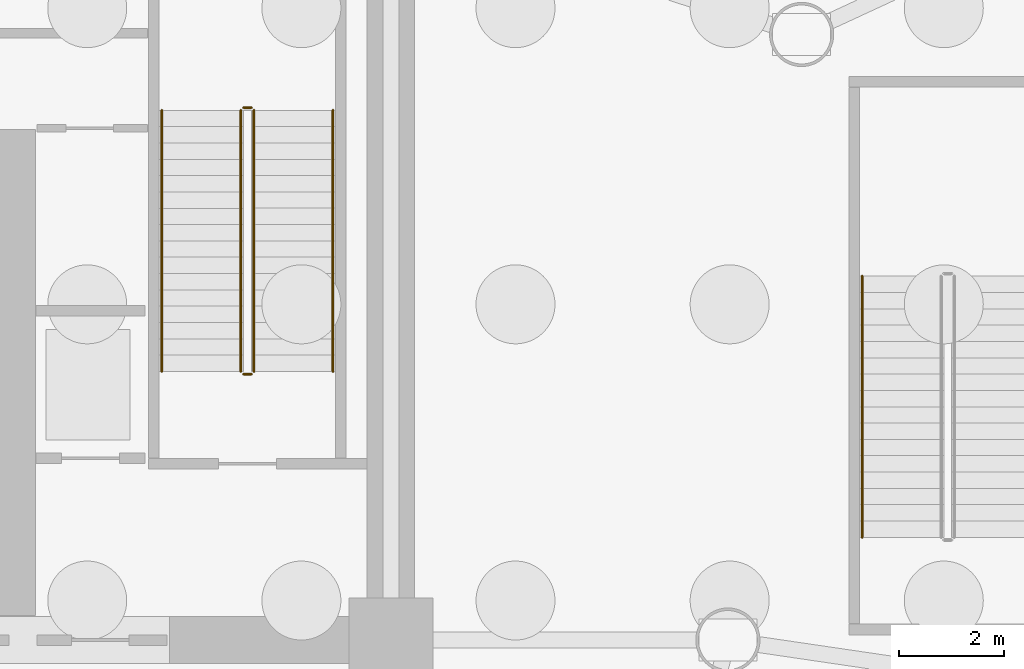
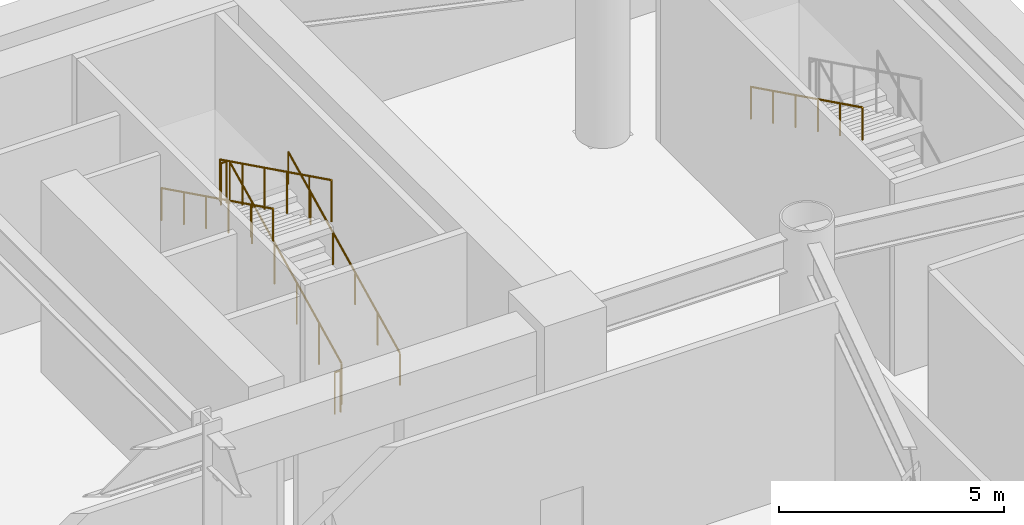
# One storey, part 8 of 11: 7 railings.
"""IFC4 building model written with IfcOpenShell, lengths in metres."""

import ifcopenshell
import ifcopenshell.guid

model = None  # the IFC model being written
_history = None  # IfcOwnerHistory: only IFC2X3 demands one
_inside = {}  # id of a spatial element -> (the spatial element, [elements in it])
_under = {}  # id of a project, library or spatial element -> (it, [spatial elements below it])
_declared = {}  # id of a project -> (the project, [libraries it declares])
_typed = {}  # id of a type object -> (the type object, [elements of that type])
_made_of = {}  # id of a material, layer set ... -> (it, [elements and type objects made of it])


def new_model(schema):
    """Start an empty IFC model of exactly this schema.

    Asked for "IFC4X3", IfcOpenShell would pick the latest addendum, in which some entities
    have other attributes; the version numbers below select the first issue.
    IFC2X3 requires an IfcOwnerHistory on every rooted entity: one is made here for all.
    """
    global model, _history
    if schema == "IFC4X3":
        model = ifcopenshell.file(schema_version=(4, 3, 0, 0))
    else:
        model = ifcopenshell.file(schema=schema)
    _inside.clear()
    _under.clear()
    _declared.clear()
    _typed.clear()
    _made_of.clear()
    _history = None
    if model.schema == "IFC2X3":
        org = make("IfcOrganization", Name="unknown")
        user = make(
            "IfcPersonAndOrganization",
            ThePerson=make("IfcPerson", FamilyName="unknown"),
            TheOrganization=org,
        )
        app = make(
            "IfcApplication",
            ApplicationDeveloper=org,
            Version="unknown",
            ApplicationFullName="unknown",
            ApplicationIdentifier="unknown",
        )
        _history = make(
            "IfcOwnerHistory",
            OwningUser=user,
            OwningApplication=app,
            ChangeAction="ADDED",
            CreationDate=0,
        )
    return model


def make(cls, **values):
    """One entity of the class cls with the attributes given. An attribute that is None is left unset."""
    return model.create_entity(
        cls, **{name: value for name, value in values.items() if value is not None}
    )


def rooted(cls, **values):
    """An entity with a GlobalId (a new one), such as an element, a storey or a relation."""
    return make(cls, GlobalId=ifcopenshell.guid.new(), OwnerHistory=_history, **values)


def si_unit(unit_type, name, prefix=None):
    """IfcSIUnit, for example si_unit("LENGTHUNIT", "METRE", prefix="MILLI")."""
    return make("IfcSIUnit", UnitType=unit_type, Prefix=prefix, Name=name)


def assignment(units):
    """IfcUnitAssignment: the units of a project."""
    return None if units is None else make("IfcUnitAssignment", Units=units)


def point(xyz):
    """IfcCartesianPoint."""
    return None if xyz is None else make("IfcCartesianPoint", Coordinates=xyz)


def direction(xyz):
    """IfcDirection."""
    return None if xyz is None else make("IfcDirection", DirectionRatios=xyz)


def frame(location, z_axis=None, x_axis=None):
    """IfcAxis2Placement3D, a coordinate frame: its origin and axes. An axis left out is left unset."""
    return make(
        "IfcAxis2Placement3D",
        Location=point(location),
        Axis=direction(z_axis),
        RefDirection=direction(x_axis),
    )


def frame_2d(location, x_axis=None):
    """IfcAxis2Placement2D, a coordinate frame in the plane: its origin and x axis."""
    return make(
        "IfcAxis2Placement2D", Location=point(location), RefDirection=direction(x_axis)
    )


def origin():
    """The frame at (0, 0, 0) with its axes left unset."""
    return frame((0.0, 0.0, 0.0))


def origin_2d():
    """The frame at (0, 0) in the plane with its x axis left unset."""
    return frame_2d((0.0, 0.0))


def place(relative_to, where):
    """IfcLocalPlacement: puts the frame where relative to a parent placement (None: the world)."""
    return make(
        "IfcLocalPlacement", PlacementRelTo=relative_to, RelativePlacement=where
    )


def context(
    kind, dimensions, precision=None, world=None, true_north=None, identifier=None
):
    """IfcGeometricRepresentationContext, for example the 3D "Model" context."""
    return make(
        "IfcGeometricRepresentationContext",
        ContextIdentifier=identifier,
        ContextType=kind,
        CoordinateSpaceDimension=dimensions,
        Precision=precision,
        WorldCoordinateSystem=world,
        TrueNorth=true_north,
    )


def subcontext(parent, identifier, kind, view, scale=None):
    """IfcGeometricRepresentationSubContext, for example "Body" below "Model"."""
    return make(
        "IfcGeometricRepresentationSubContext",
        ContextIdentifier=identifier,
        ContextType=kind,
        ParentContext=parent,
        TargetScale=scale,
        TargetView=view,
    )


def project(units=None, contexts=None):
    """IfcProject with its units and contexts."""
    return rooted(
        "IfcProject",
        Name="project",
        RepresentationContexts=contexts,
        UnitsInContext=assignment(units),
    )


def spatial(cls, under=None, at=None, **own):
    """A site, building, storey or space (cls), placed at a placement, below another one or the project."""
    s = rooted(cls, ObjectPlacement=at, **own)
    if under is not None:
        _under.setdefault(under.id(), (under, []))[1].append(s)
    return s


def profile(cls, at=None, kind="AREA", **sizes):
    """A parametric profile (cls). Its sizes go by their IFC names, for example OverallWidth=200.0."""
    return make(cls, ProfileType=kind, Position=at, **sizes)


def circle(**sizes):
    """IfcCircleProfileDef."""
    return profile("IfcCircleProfileDef", **sizes)


def extrude(swept, where, along, depth):
    """IfcExtrudedAreaSolid: the profile swept, set in the frame where, extruded along a direction by depth."""
    return make(
        "IfcExtrudedAreaSolid",
        SweptArea=swept,
        Position=where,
        ExtrudedDirection=direction(along),
        Depth=depth,
    )


def shape(context_of_items, identifier, shape_type, items):
    """IfcShapeRepresentation: the items that make up one representation, for example the "Body"."""
    return make(
        "IfcShapeRepresentation",
        ContextOfItems=context_of_items,
        RepresentationIdentifier=identifier,
        RepresentationType=shape_type,
        Items=items,
    )


def material(Name=None, Category=None):
    """IfcMaterial."""
    return make("IfcMaterial", Name=Name, Category=Category)


def made_of(thing, what):
    """Note that an element or type object is made of a material, layer set ...; save() writes the relation."""
    if what is not None:
        _made_of.setdefault(what.id(), (what, []))[1].append(thing)
    return thing


def type_object(cls, material=None, **own):
    """A type object (cls), such as IfcWallType, which elements share."""
    return made_of(rooted(cls, **own), material)


def element(
    cls,
    number,
    at=None,
    inside=None,
    cuts=None,
    type_object=None,
    material=None,
    context=None,
    identifier="Body",
    shape_type=None,
    held_by="IfcProductDefinitionShape",
    body=None,
    shapes=None,
    **own,
):
    """One element of the class cls, such as IfcWall. Its Tag is "e" and its number.

    at: its placement. inside: the storey or other place that contains it. cuts: it is an
    opening in that element (IfcRelVoidsElement). A single representation is given by context,
    identifier, shape_type and body (its items); several are given by shapes. held_by: the class
    of the entity that holds the representations. save() writes the other relations.
    """
    e = rooted(cls, Tag="e%d" % number, ObjectPlacement=at, **own)
    if body is not None:
        shapes = [shape(context, identifier, shape_type, body)]
    if shapes is not None:
        e.Representation = make(held_by, Representations=shapes)
    if inside is not None:
        _inside.setdefault(inside.id(), (inside, []))[1].append(e)
    if cuts is not None:
        rooted(
            "IfcRelVoidsElement", RelatingBuildingElement=cuts, RelatedOpeningElement=e
        )
    if type_object is not None:
        _typed.setdefault(type_object.id(), (type_object, []))[1].append(e)
    return made_of(e, material)


def aggregate(whole, parts):
    """IfcRelAggregates: a whole, such as a stair, and the parts it consists of."""
    return rooted("IfcRelAggregates", RelatingObject=whole, RelatedObjects=parts)


def save(model, path):
    """Write the relations noted so far, then the file.

    IfcRelAggregates (storeys below a building ...), IfcRelContainedInSpatialStructure (elements
    in a storey), IfcRelDefinesByType, IfcRelAssociatesMaterial and IfcRelDeclares: one each for
    every whole, place, type object, material and project.
    """
    for whole, parts in _under.values():
        aggregate(whole, parts)
    for where, things in _inside.values():
        rooted(
            "IfcRelContainedInSpatialStructure",
            RelatedElements=things,
            RelatingStructure=where,
        )
    for kind, things in _typed.values():
        rooted("IfcRelDefinesByType", RelatedObjects=things, RelatingType=kind)
    for what, things in _made_of.values():
        rooted("IfcRelAssociatesMaterial", RelatedObjects=things, RelatingMaterial=what)
    for by, libraries in _declared.values():
        rooted("IfcRelDeclares", RelatingContext=by, RelatedDefinitions=libraries)
    model.write(path)


model = new_model("IFC4")

# Units and contexts
model_context = context("Model", 3, precision=1e-05, world=origin(), true_north=direction((0.0, 1.0)))
body_context = subcontext(model_context, "Body", "Model", "MODEL_VIEW")
ifc_project = project(units=[si_unit("LENGTHUNIT", "METRE"), si_unit("AREAUNIT", "SQUARE_METRE"), si_unit("VOLUMEUNIT", "CUBIC_METRE"), si_unit("PLANEANGLEUNIT", "RADIAN"), si_unit("MASSUNIT", "GRAM", prefix="KILO")], contexts=[model_context])

# Site, building, storey
site_placement = place(None, origin())
site = spatial("IfcSite", under=ifc_project, at=site_placement, CompositionType="ELEMENT")
building_placement = place(site_placement, origin())
building = spatial("IfcBuilding", under=site, at=building_placement, Name="Vaeldorn Concourse Tower", CompositionType="ELEMENT")
storey_placement = place(building_placement, frame((0.0, 0.0, -15.60009765625)))
storey = spatial("IfcBuildingStorey", under=building, at=storey_placement, Name="B03", CompositionType="ELEMENT", Elevation=-15.60009765625)

# Railings
ifc_material = material(Name="Anodised Bronze Aluminium", Category="aluminium")
railing_type_1 = type_object("IfcRailingType", Name="RL-STAIR-GUARD", PredefinedType="GUARDRAIL", material=ifc_material)
railing_1_placement = place(storey_placement, frame((51.39990234375, 41.60009765625, 0.153076171875)))
element("IfcRailing", 1, at=railing_1_placement, inside=storey, type_object=railing_type_1, Name="B03 ST-2 stair guard 1", PredefinedType="GUARDRAIL", context=body_context, shape_type="SweptSolid", body=[
    extrude(circle(Radius=0.02392578125, at=origin_2d()), frame((0.0, 0.0, 1.1259765625), z_axis=(0.0, 0.896798178328, 0.442439857323), x_axis=(-1.0, 0.0, 0.0)), (0.0, 0.0, 1.0), 5.53076171875),
    extrude(circle(Radius=0.02099609375, at=origin_2d()), origin(), (0.0, 0.0, 1.0), 1.101806640625),
    extrude(circle(Radius=0.02099609375, at=origin_2d()), frame((0.0, 0.991943359375, 0.489501953125)), (0.0, 0.0, 1.0), 1.101806640625),
    extrude(circle(Radius=0.02099609375, at=origin_2d()), frame((0.0, 1.98388671875, 0.978759765625)), (0.0, 0.0, 1.0), 1.101806640625),
    extrude(circle(Radius=0.02099609375, at=origin_2d()), frame((0.0, 2.97607421875, 1.46826171875)), (0.0, 0.0, 1.0), 1.101806640625),
    extrude(circle(Radius=0.02099609375, at=origin_2d()), frame((0.0, 3.968017578125, 1.95751953125)), (0.0, 0.0, 1.0), 1.101806640625),
    extrude(circle(Radius=0.02099609375, at=origin_2d()), frame((0.0, 4.9599609375, 2.447021484375)), (0.0, 0.0, 1.0), 1.101806640625),
])
railing_2_placement = place(storey_placement, frame((51.35009765625, 46.610107421875, 2.60009765625)))
element("IfcRailing", 2, at=railing_2_placement, inside=storey, type_object=railing_type_1, Name="B03 ST-2 stair guard 2", PredefinedType="GUARDRAIL", context=body_context, shape_type="SweptSolid", body=[
    extrude(circle(Radius=0.02392578125, at=origin_2d()), frame((0.0, 0.0, 1.1259765625), z_axis=(-1.0, 0.0, 0.0), x_axis=(0.0, -1.0, 0.0)), (0.0, 0.0, 1.0), 0.150146484375),
    extrude(circle(Radius=0.02099609375, at=origin_2d()), origin(), (0.0, 0.0, 1.0), 1.101806640625),
    extrude(circle(Radius=0.02099609375, at=origin_2d()), frame((-0.150146484375, 0.0, 0.0)), (0.0, 0.0, 1.0), 1.101806640625),
])
railing_3_placement = place(storey_placement, frame((51.14990234375, 46.56005859375, 2.7529296875)))
element("IfcRailing", 3, at=railing_3_placement, inside=storey, type_object=railing_type_1, Name="B03 ST-2 stair guard 3", PredefinedType="GUARDRAIL", context=body_context, shape_type="SweptSolid", body=[
    extrude(circle(Radius=0.02392578125, at=origin_2d()), frame((0.0, 0.0, 1.1259765625), z_axis=(0.0, -0.896780663155, 0.442475357721), x_axis=(1.0, 0.0, 0.0)), (0.0, 0.0, 1.0), 5.53076171875),
    extrude(circle(Radius=0.02099609375, at=origin_2d()), origin(), (0.0, 0.0, 1.0), 1.101806640625),
    extrude(circle(Radius=0.02099609375, at=origin_2d()), frame((0.0, -0.991943359375, 0.489501953125)), (0.0, 0.0, 1.0), 1.101806640625),
    extrude(circle(Radius=0.02099609375, at=origin_2d()), frame((0.0, -1.98388671875, 0.97900390625)), (0.0, 0.0, 1.0), 1.101806640625),
    extrude(circle(Radius=0.02099609375, at=origin_2d()), frame((0.0, -2.97607421875, 1.46826171875)), (0.0, 0.0, 1.0), 1.101806640625),
    extrude(circle(Radius=0.02099609375, at=origin_2d()), frame((0.0, -3.968017578125, 1.957763671875)), (0.0, 0.0, 1.0), 1.101806640625),
    extrude(circle(Radius=0.02099609375, at=origin_2d()), frame((0.0, -4.9599609375, 2.447265625)), (0.0, 0.0, 1.0), 1.101806640625),
])
railing_4_placement = place(storey_placement, frame((51.35009765625, 41.550048828125, 0.0)))
element("IfcRailing", 4, at=railing_4_placement, inside=storey, type_object=railing_type_1, Name="B03 ST-2 stair guard 4", PredefinedType="GUARDRAIL", context=body_context, shape_type="SweptSolid", body=[
    extrude(circle(Radius=0.02392578125, at=origin_2d()), frame((0.0, 0.0, 1.1259765625), z_axis=(-1.0, 0.0, 0.0), x_axis=(0.0, -1.0, 0.0)), (0.0, 0.0, 1.0), 0.150146484375),
    extrude(circle(Radius=0.02099609375, at=origin_2d()), origin(), (0.0, 0.0, 1.0), 1.101806640625),
    extrude(circle(Radius=0.02099609375, at=origin_2d()), frame((-0.150146484375, 0.0, 0.0)), (0.0, 0.0, 1.0), 1.101806640625),
])
railing_type_2 = type_object("IfcRailingType", Name="RL-STAIR-HANDRAIL", PredefinedType="HANDRAIL", material=ifc_material)
railing_5_placement = place(storey_placement, frame((52.89990234375, 41.60009765625, 0.153076171875)))
element("IfcRailing", 5, at=railing_5_placement, inside=storey, type_object=railing_type_2, Name="B03 ST-2 stair handrail 1", PredefinedType="HANDRAIL", context=body_context, shape_type="SweptSolid", body=[
    extrude(circle(Radius=0.02392578125, at=origin_2d()), frame((0.0, 0.0, 0.8759765625), z_axis=(0.0, 0.896798178328, 0.442439857323), x_axis=(-1.0, 0.0, 0.0)), (0.0, 0.0, 1.0), 5.53076171875),
    extrude(circle(Radius=0.02099609375, at=origin_2d()), origin(), (0.0, 0.0, 1.0), 0.851806640625),
    extrude(circle(Radius=0.02099609375, at=origin_2d()), frame((0.0, 0.991943359375, 0.489501953125)), (0.0, 0.0, 1.0), 0.851806640625),
    extrude(circle(Radius=0.02099609375, at=origin_2d()), frame((0.0, 1.98388671875, 0.978759765625)), (0.0, 0.0, 1.0), 0.851806640625),
    extrude(circle(Radius=0.02099609375, at=origin_2d()), frame((0.0, 2.97607421875, 1.46826171875)), (0.0, 0.0, 1.0), 0.851806640625),
    extrude(circle(Radius=0.02099609375, at=origin_2d()), frame((0.0, 3.968017578125, 1.95751953125)), (0.0, 0.0, 1.0), 0.851806640625),
    extrude(circle(Radius=0.02099609375, at=origin_2d()), frame((0.0, 4.9599609375, 2.447021484375)), (0.0, 0.0, 1.0), 0.851806640625),
])
for number, where, name in (
    (6, (49.64990234375, 46.56005859375, 2.7529296875), "B03 ST-2 stair handrail 2"),
    (7, (62.949951171875, 43.409912109375, 2.7529296875), "B03 ST-4 stair handrail 2"),
):
    element("IfcRailing", number, at=place(storey_placement, frame(where)), inside=storey, type_object=railing_type_2, Name=name, PredefinedType="HANDRAIL", context=body_context, shape_type="SweptSolid", body=[
        extrude(circle(Radius=0.02392578125, at=origin_2d()), frame((0.0, 0.0, 0.8759765625), z_axis=(0.0, -0.896780663155, 0.442475357721), x_axis=(1.0, 0.0, 0.0)), (0.0, 0.0, 1.0), 5.53076171875),
        extrude(circle(Radius=0.02099609375, at=origin_2d()), origin(), (0.0, 0.0, 1.0), 0.851806640625),
        extrude(circle(Radius=0.02099609375, at=origin_2d()), frame((0.0, -0.991943359375, 0.489501953125)), (0.0, 0.0, 1.0), 0.851806640625),
        extrude(circle(Radius=0.02099609375, at=origin_2d()), frame((0.0, -1.98388671875, 0.97900390625)), (0.0, 0.0, 1.0), 0.851806640625),
        extrude(circle(Radius=0.02099609375, at=origin_2d()), frame((0.0, -2.97607421875, 1.46826171875)), (0.0, 0.0, 1.0), 0.851806640625),
        extrude(circle(Radius=0.02099609375, at=origin_2d()), frame((0.0, -3.968017578125, 1.957763671875)), (0.0, 0.0, 1.0), 0.851806640625),
        extrude(circle(Radius=0.02099609375, at=origin_2d()), frame((0.0, -4.9599609375, 2.447265625)), (0.0, 0.0, 1.0), 0.851806640625),
    ])

save(model, "model.ifc")
